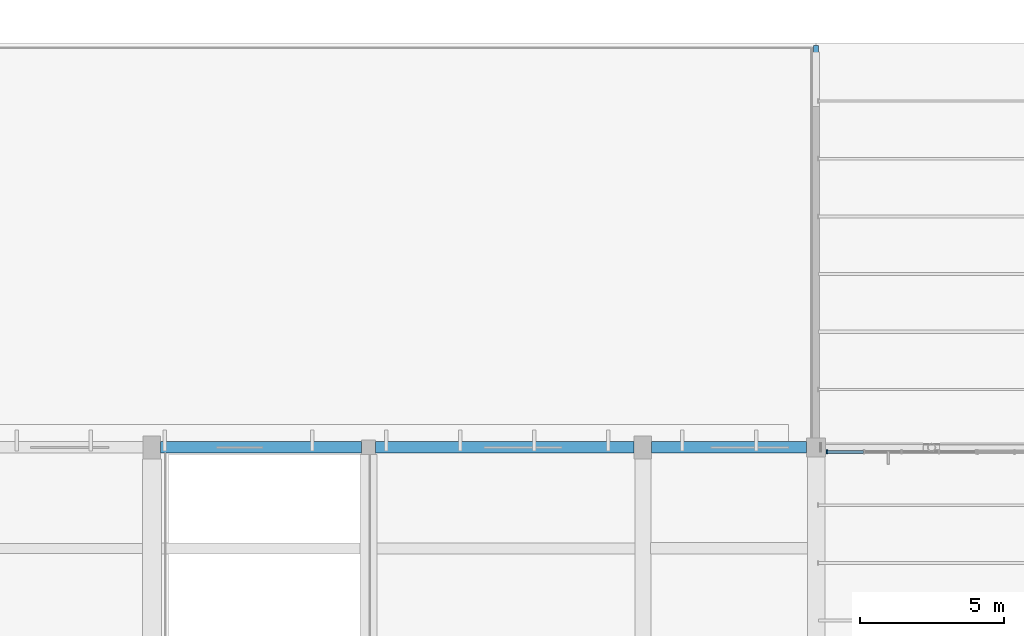
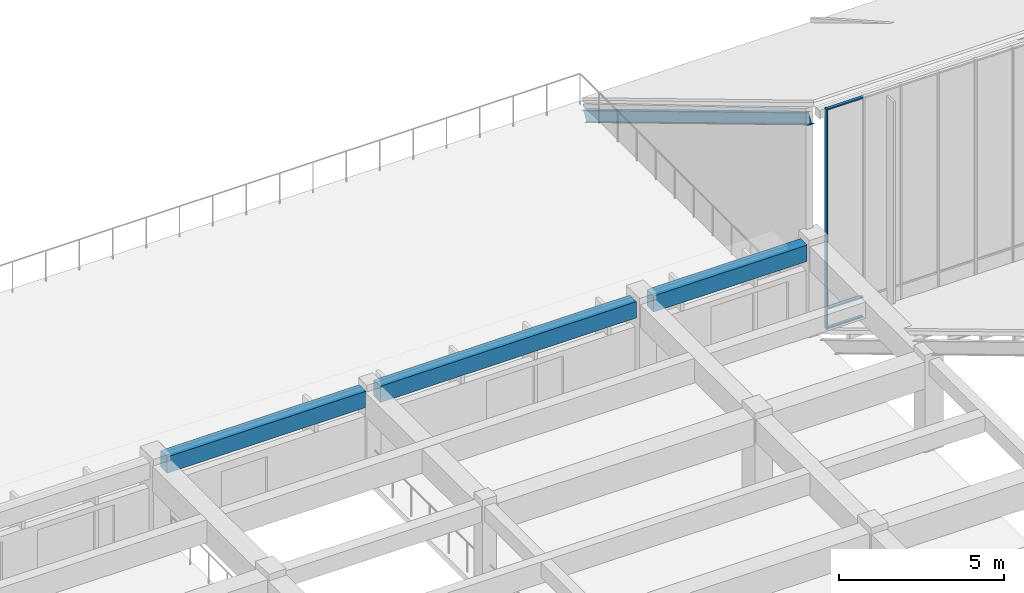
# One storey, part 63 of 155: 4 beams, 4 members, 1 element without a shape of its own.
"""IFC4 building model written with IfcOpenShell, lengths in metres."""

from ifc_helpers import new_model, si_unit, direction, frame, origin, origin_2d, place, context, subcontext, project, spatial, rectangle, i_section, extrude, material, material_profile, profile_set, type_object, element, aggregate, save


model = new_model("IFC4")

# Units and contexts
model_context = context("Model", 3, precision=1e-05, world=origin(), true_north=direction((0.0, 1.0)))
body_context = subcontext(model_context, "Body", "Model", "MODEL_VIEW")
ifc_project = project(units=[si_unit("LENGTHUNIT", "METRE"), si_unit("AREAUNIT", "SQUARE_METRE"), si_unit("VOLUMEUNIT", "CUBIC_METRE"), si_unit("PLANEANGLEUNIT", "RADIAN"), si_unit("MASSUNIT", "GRAM", prefix="KILO")], contexts=[model_context])

# Site, building, storey
site_placement = place(None, origin())
site = spatial("IfcSite", under=ifc_project, at=site_placement, CompositionType="ELEMENT")
building_placement = place(site_placement, origin())
building = spatial("IfcBuilding", under=site, at=building_placement, Name="Larkveld Mobility Hub", CompositionType="ELEMENT")
storey_placement = place(building_placement, frame((0.0, 0.0, 8.39990234375)))
storey = spatial("IfcBuildingStorey", under=building, at=storey_placement, Name="L02", CompositionType="ELEMENT", Elevation=8.39990234375)

# Beams
ifc_material_1 = material(Name="Concrete C40/50", Category="concrete")
ifc_material_profile_1 = material_profile(ifc_material_1, rectangle(XDim=0.39990234375, YDim=0.60009765625, at=origin_2d()), Name="RC BM 400x600")
ifc_profile_set_1 = profile_set([ifc_material_profile_1], Name="Concrete C40/50")
beam_type_1 = type_object("IfcBeamType", Name="BM-RC4060", PredefinedType="BEAM", material=ifc_profile_set_1)
beam_1_placement = place(storey_placement, frame((129.300048828125, 112.0, 3.06005859375), z_axis=(1.0, 0.0, 0.0), x_axis=(0.0, 1.0, 0.0)))
element("IfcBeam", 1, at=beam_1_placement, inside=storey, type_object=beam_type_1, Name="Primary E-W Girder L02-0567", PredefinedType="BEAM", context=body_context, shape_type="SweptSolid", body=[
    extrude(rectangle(XDim=0.39990234375, YDim=0.60009765625, at=origin_2d()), origin(), (0.0, 0.0, 1.0), 6.949951171875),
])
beam_2_placement = place(storey_placement, frame((136.75, 112.0, 3.06005859375), z_axis=(1.0, 0.0, 0.0), x_axis=(0.0, 1.0, 0.0)))
element("IfcBeam", 2, at=beam_2_placement, inside=storey, type_object=beam_type_1, Name="Primary E-W Girder L02-0568", PredefinedType="BEAM", context=body_context, shape_type="SweptSolid", body=[
    extrude(rectangle(XDim=0.39990234375, YDim=0.60009765625, at=origin_2d()), origin(), (0.0, 0.0, 1.0), 8.949951171875),
])
beam_3_placement = place(storey_placement, frame((146.300048828125, 112.0, 3.06005859375), z_axis=(1.0, 0.0, 0.0), x_axis=(0.0, 1.0, 0.0)))
element("IfcBeam", 3, at=beam_3_placement, inside=storey, type_object=beam_type_1, Name="Primary E-W Girder L02-0569", PredefinedType="BEAM", context=body_context, shape_type="SweptSolid", body=[
    extrude(rectangle(XDim=0.39990234375, YDim=0.60009765625, at=origin_2d()), origin(), (0.0, 0.0, 1.0), 5.375),
])
ifc_material_2 = material(Name="Steel S355JR", Category="steel")
ifc_material_profile_2 = material_profile(ifc_material_2, i_section(OverallWidth=0.179931640625, OverallDepth=0.39990234375, WebThickness=0.008544921875, FlangeThickness=0.013427734375, FilletRadius=0.02099609375, at=origin_2d()), Name="IPE 400")
ifc_profile_set_2 = profile_set([ifc_material_profile_2], Name="Steel S355JR")
beam_type_2 = type_object("IfcBeamType", Name="BM-STIPE400", PredefinedType="BEAM", material=ifc_profile_set_2)
beam_4_placement = place(storey_placement, frame((152.0, 112.179931640625, 7.708984375), z_axis=(0.0, 0.85749969687, -0.514484469998), x_axis=(-1.0, 0.0, 0.0)))
element("IfcBeam", 4, at=beam_4_placement, inside=storey, type_object=beam_type_2, Name="ROOF TRUSS Sawtooth Edge Rafter B7-152", PredefinedType="BEAM", context=body_context, shape_type="SweptSolid", body=[
    extrude(i_section(OverallWidth=0.179931640625, OverallDepth=0.39990234375, WebThickness=0.008544921875, FlangeThickness=0.013427734375, FilletRadius=0.02099609375, at=origin_2d()), origin(), (0.0, 0.0, 1.0), 15.906982421875),
])

# Curtain wall, members
ifc_material_3 = material(Name="Anodised aluminium 6063-T6", Category="aluminium")
curtain_wall_type = type_object("IfcCurtainWallType", Name="CW-SYS-08", PredefinedType="NOTDEFINED", material=ifc_material_3)
curtain_wall_placement = place(storey_placement, origin())
curtain_wall = element("IfcCurtainWall", 5, at=curtain_wall_placement, inside=storey, type_object=curtain_wall_type, Name="Sawtooth South-Light Clerestory B7 CW-044", PredefinedType="NOTDEFINED")
ifc_material_profile_3 = material_profile(ifc_material_3, rectangle(XDim=0.050048828125, YDim=0.1298828125, at=origin_2d()), Name="ALU MULL 50x130")
ifc_profile_set_3 = profile_set([ifc_material_profile_3], Name="Anodised aluminium 6063-T6")
member_type_1 = type_object("IfcMemberType", Name="CW-MUL-04", PredefinedType="MULLION", material=ifc_profile_set_3)
member_1_placement = place(storey_placement, frame((152.375, 111.844970703125, -0.001953125), z_axis=(0.0, 0.0, 1.0), x_axis=(1.0, 0.0, 0.0)))
member_1 = element("IfcMember", 6, at=member_1_placement, type_object=member_type_1, Name="CW08 mullion 1", PredefinedType="MULLION", context=body_context, shape_type="SweptSolid", body=[
    extrude(rectangle(XDim=0.050048828125, YDim=0.1298828125, at=origin_2d()), origin(), (0.0, 0.0, 1.0), 8.152099609375),
])
ifc_material_profile_4 = material_profile(ifc_material_3, rectangle(XDim=0.10009765625, YDim=0.050048828125, at=origin_2d()), Name="ALU TRAN 50x100")
ifc_profile_set_4 = profile_set([ifc_material_profile_4], Name="Anodised aluminium 6063-T6")
member_type_2 = type_object("IfcMemberType", Name="CW-TRN-04", PredefinedType="USERDEFINED", material=ifc_profile_set_4)
member_2_placement = place(storey_placement, frame((152.385009765625, 111.844970703125, 0.030029296875), z_axis=(1.0, 0.0, 0.0), x_axis=(0.0, 1.0, 0.0)))
member_2 = element("IfcMember", 7, at=member_2_placement, type_object=member_type_2, Name="CW08 transom 1.1", ObjectType="TRANSOM", PredefinedType="USERDEFINED", context=body_context, shape_type="SweptSolid", body=[
    extrude(rectangle(XDim=0.10009765625, YDim=0.050048828125, at=origin_2d()), origin(), (0.0, 0.0, 1.0), 1.25390625),
])
member_3_placement = place(storey_placement, frame((152.385009765625, 111.844970703125, 0.75), z_axis=(1.0, 0.0, 0.0), x_axis=(0.0, 1.0, 0.0)))
member_3 = element("IfcMember", 8, at=member_3_placement, type_object=member_type_2, Name="CW08 transom 1.2", ObjectType="TRANSOM", PredefinedType="USERDEFINED", context=body_context, shape_type="SweptSolid", body=[
    extrude(rectangle(XDim=0.10009765625, YDim=0.050048828125, at=origin_2d()), origin(), (0.0, 0.0, 1.0), 1.25390625),
])
member_4_placement = place(storey_placement, frame((152.385009765625, 111.844970703125, 8.1181640625), z_axis=(1.0, 0.0, 0.0), x_axis=(0.0, 1.0, 0.0)))
member_4 = element("IfcMember", 9, at=member_4_placement, type_object=member_type_2, Name="CW08 transom 1.3", ObjectType="TRANSOM", PredefinedType="USERDEFINED", context=body_context, shape_type="SweptSolid", body=[
    extrude(rectangle(XDim=0.10009765625, YDim=0.050048828125, at=origin_2d()), origin(), (0.0, 0.0, 1.0), 1.25390625),
])
aggregate(curtain_wall, [member_1, member_2, member_3, member_4])

save(model, "model.ifc")
